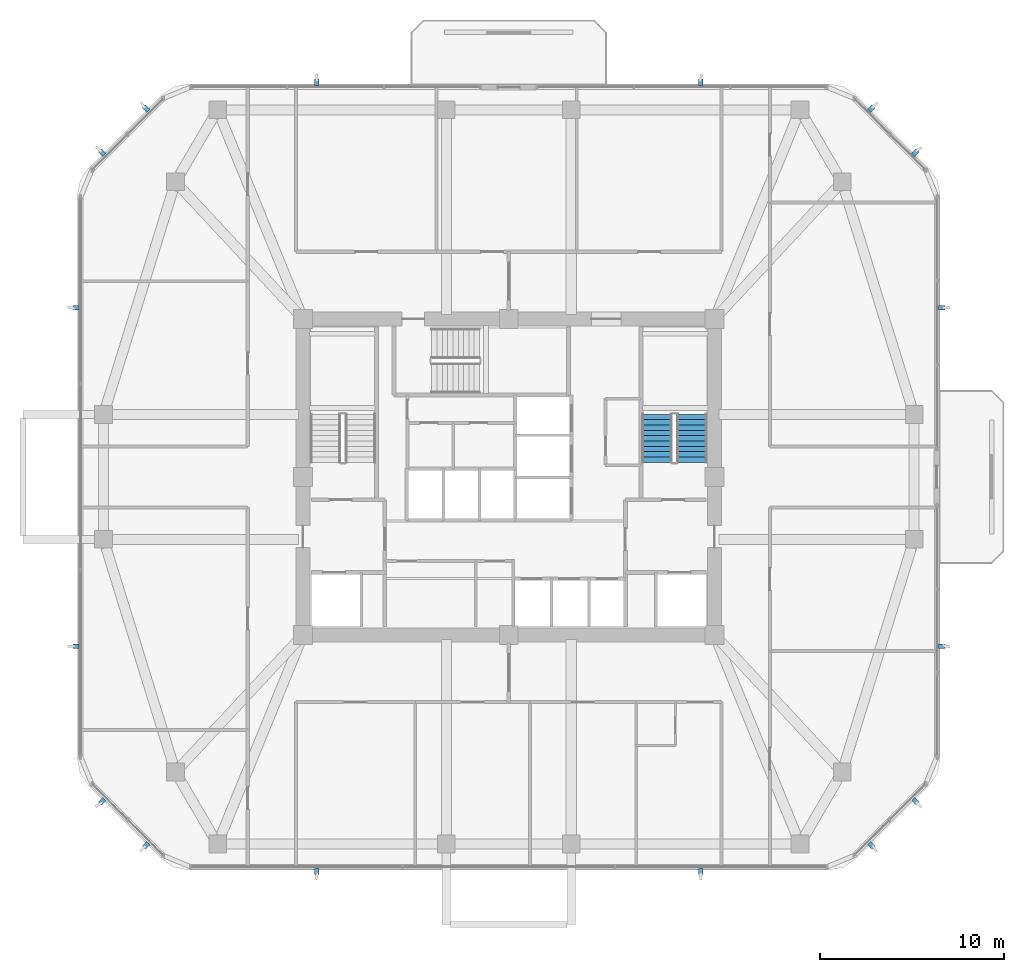
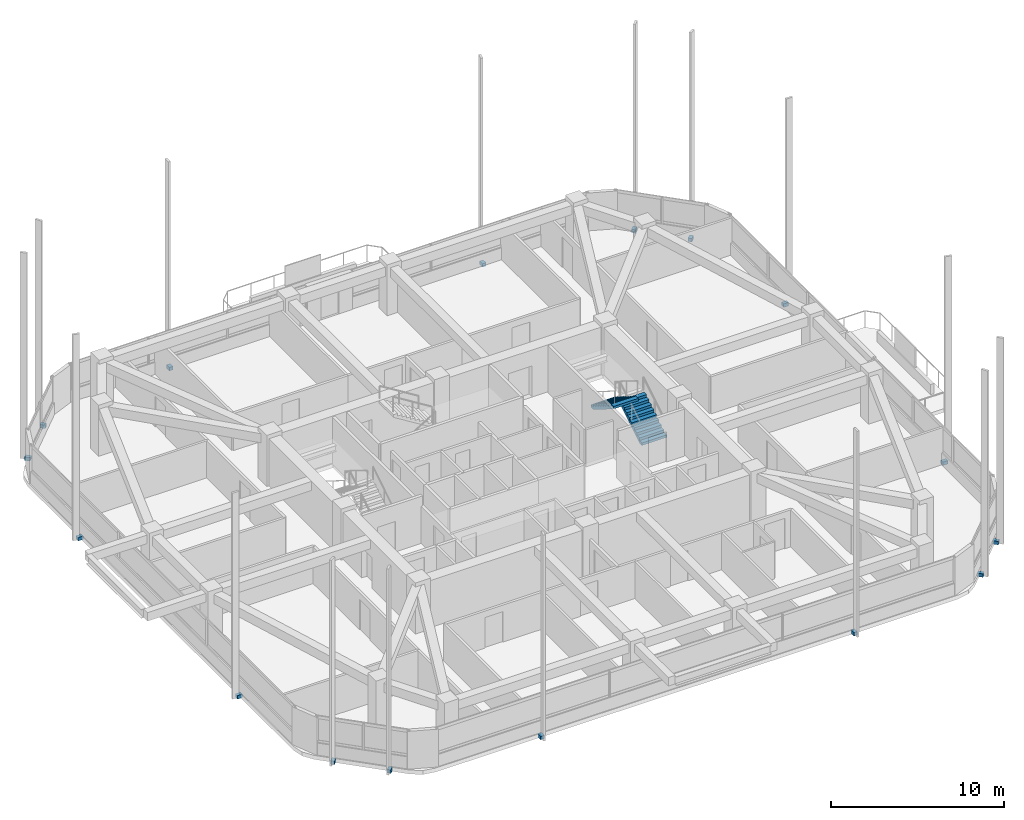
# One storey, part 11 of 14: 16 discrete accessories, 2 stair flights, 1 element without a shape of its own.
"""IFC4 building model written with IfcOpenShell, lengths in metres."""

from ifc_helpers import new_model, si_unit, derived_unit, direction, frame, origin, origin_2d, place, context, subcontext, project, spatial, polyline, rectangle, outline, extrude, material, type_object, element, aggregate, save


model = new_model("IFC4")

# Units and contexts
model_context = context("Model", 3, precision=1e-05, world=origin(), true_north=direction((0.0, 1.0)))
body_context = subcontext(model_context, "Body", "Model", "MODEL_VIEW")
ifc_project = project(units=[si_unit("LENGTHUNIT", "METRE"), si_unit("AREAUNIT", "SQUARE_METRE"), si_unit("VOLUMEUNIT", "CUBIC_METRE"), si_unit("PLANEANGLEUNIT", "RADIAN"), si_unit("MASSUNIT", "GRAM", prefix="KILO"), derived_unit("THERMALTRANSMITTANCEUNIT", [(si_unit("POWERUNIT", "WATT"), 1), (si_unit("LENGTHUNIT", "METRE"), -2), (si_unit("THERMODYNAMICTEMPERATUREUNIT", "KELVIN"), -1)])], contexts=[model_context])

# Site, building, storey
site_placement = place(None, origin())
site = spatial("IfcSite", under=ifc_project, at=site_placement, CompositionType="ELEMENT")
building_placement = place(site_placement, origin())
building = spatial("IfcBuilding", under=site, at=building_placement, Name="Koralith Skygarden Medical Center", CompositionType="ELEMENT")
storey_placement = place(building_placement, frame((0.0, 0.0, 160.02001953125)))
storey = spatial("IfcBuildingStorey", under=building, at=storey_placement, Name="L41", CompositionType="ELEMENT", Elevation=160.02001953125)

# Stair, stair flights
ifc_material_1 = material(Name="Concrete C45/55", Category="concrete")
stair_type = type_object("IfcStairType", Name="Core Exit Dogleg Concrete Stair", PredefinedType="HALF_TURN_STAIR", material=ifc_material_1)
stair_placement = place(storey_placement, origin())
stair = element("IfcStair", 1, at=stair_placement, inside=storey, type_object=stair_type, Name="L41 Smokeproof Exit Stair ST2", PredefinedType="HALF_TURN_STAIR")
stair_flight_type = type_object("IfcStairFlightType", Name="Core Exit Concrete Stair Flight 1650", PredefinedType="STRAIGHT", material=ifc_material_1)
stair_flight_1_placement = place(storey_placement, frame((46.97509765625, 26.699951171875, 0.0), z_axis=(0.0, 0.0, 1.0), x_axis=(0.0, 1.0, 0.0)))
stair_flight_1 = element("IfcStairFlight", 2, at=stair_flight_1_placement, type_object=stair_flight_type, Name="ST2 flight 1", NumberOfRisers=10, NumberOfTreads=9, PredefinedType="STRAIGHT", RiserHeight=0.18, TreadLength=0.29, context=body_context, shape_type="SweptSolid", body=[
    extrude(outline(polyline([(0.0, 0.0), (0.0, 0.179931640625), (0.2900390625, 0.179931640625), (0.2900390625, 0.360107421875), (0.580078125, 0.360107421875), (0.580078125, 0.5400390625), (0.8701171875, 0.5400390625), (0.8701171875, 0.719970703125), (1.159912109375, 0.719970703125), (1.159912109375, 0.89990234375), (1.449951171875, 0.89990234375), (1.449951171875, 1.080078125), (1.739990234375, 1.080078125), (1.739990234375, 1.260009765625), (2.030029296875, 1.260009765625), (2.030029296875, 1.43994140625), (2.320068359375, 1.43994140625), (2.320068359375, 1.6201171875), (2.610107421875, 1.6201171875), (2.610107421875, 1.800048828125), (2.610107421875, 1.443603515625), (0.2841796875, 0.0), (0.0, 0.0)])), frame((0.0, 0.824951171875, 0.0), z_axis=(0.0, -1.0, 0.0), x_axis=(1.0, 0.0, 0.0)), (0.0, 0.0, 1.0), 1.64990234375),
])
stair_flight_2_placement = place(storey_placement, frame((45.074951171875, 29.31005859375, 1.800048828125), z_axis=(0.0, 0.0, 1.0), x_axis=(0.0, -1.0, 0.0)))
stair_flight_2 = element("IfcStairFlight", 3, at=stair_flight_2_placement, type_object=stair_flight_type, Name="ST2 flight 2", NumberOfRisers=10, NumberOfTreads=9, PredefinedType="STRAIGHT", RiserHeight=0.18, TreadLength=0.29, context=body_context, shape_type="SweptSolid", body=[
    extrude(outline(polyline([(0.0, 0.0), (0.0, 0.179931640625), (0.2900390625, 0.179931640625), (0.2900390625, 0.360107421875), (0.580078125, 0.360107421875), (0.580078125, 0.5400390625), (0.8701171875, 0.5400390625), (0.8701171875, 0.719970703125), (1.159912109375, 0.719970703125), (1.159912109375, 0.89990234375), (1.449951171875, 0.89990234375), (1.449951171875, 1.080078125), (1.739990234375, 1.080078125), (1.739990234375, 1.260009765625), (2.030029296875, 1.260009765625), (2.030029296875, 1.43994140625), (2.320068359375, 1.43994140625), (2.320068359375, 1.6201171875), (2.610107421875, 1.6201171875), (2.610107421875, 1.800048828125), (2.610107421875, 1.443603515625), (0.2841796875, 0.0), (0.0, 0.0)])), frame((0.0, 0.824951171875, 0.0), z_axis=(0.0, -1.0, 0.0), x_axis=(1.0, 0.0, 0.0)), (0.0, 0.0, 1.0), 1.64990234375),
])
aggregate(stair, [stair_flight_1, stair_flight_2])

# Discrete accessories
ifc_material_2 = material(Name="Steel ASTM A572 Grade 50", Category="steel")
discrete_accessory_type = type_object("IfcDiscreteAccessoryType", Name="Facade Fin Structural Anchor Bracket", PredefinedType="BRACKET", material=ifc_material_2)
for number, where, z_axis, x_axis, name in (
    (4, (26.5400390625, 4.419921875, -0.26025390625), (0.0, 0.0, 1.0), (0.0, -1.0, 0.0), "L41 S Solar Fin Anchor Bracket 1"),
    (5, (47.4599609375, 4.419921875, -0.26025390625), (0.0, 0.0, 1.0), (0.0, -1.0, 0.0), "L41 S Solar Fin Anchor Bracket 2"),
    (6, (56.741943359375, 5.843994140625, -0.26025390625), (0.0, 0.0, 1.0), (0.707106781187, -0.707106781187, 0.0), "L41 SE Solar Fin Anchor Bracket 1"),
    (7, (59.139892578125, 8.241943359375, -0.26025390625), (0.0, 0.0, 1.0), (0.707106781187, -0.707106781187, 0.0), "L41 SE Solar Fin Anchor Bracket 2"),
    (8, (60.56396484375, 16.68994140625, -0.26025390625), (0.0, 0.0, 1.0), (1.0, 0.0, 0.0), "L41 E Solar Fin Anchor Bracket 1"),
    (9, (60.56396484375, 35.110107421875, -0.26025390625), (0.0, 0.0, 1.0), (1.0, 0.0, 0.0), "L41 E Solar Fin Anchor Bracket 2"),
    (10, (59.139892578125, 43.55810546875, -0.26025390625), (0.0, 0.0, 1.0), (0.707106781187, 0.707106781187, 0.0), "L41 NE Solar Fin Anchor Bracket 1"),
    (11, (56.741943359375, 45.9560546875, -0.26025390625), (0.0, 0.0, 1.0), (0.707106781187, 0.707106781187, 0.0), "L41 NE Solar Fin Anchor Bracket 2"),
    (12, (47.4599609375, 47.3798828125, -0.26025390625), (0.0, 0.0, 1.0), (0.0, 1.0, 0.0), "L41 N Solar Fin Anchor Bracket 1"),
    (13, (26.5400390625, 47.3798828125, -0.26025390625), (0.0, 0.0, 1.0), (0.0, 1.0, 0.0), "L41 N Solar Fin Anchor Bracket 2"),
    (14, (17.258056640625, 45.9560546875, -0.26025390625), (0.0, 0.0, 1.0), (-0.707106781187, 0.707106781187, 0.0), "L41 NW Solar Fin Anchor Bracket 1"),
    (15, (14.860107421875, 43.55810546875, -0.26025390625), (0.0, 0.0, 1.0), (-0.707106781187, 0.707106781187, 0.0), "L41 NW Solar Fin Anchor Bracket 2"),
    (16, (13.43603515625, 35.110107421875, -0.26025390625), (0.0, 0.0, 1.0), (-1.0, 0.0, 0.0), "L41 W Solar Fin Anchor Bracket 1"),
    (17, (13.43603515625, 16.68994140625, -0.26025390625), (0.0, 0.0, 1.0), (-1.0, 0.0, 0.0), "L41 W Solar Fin Anchor Bracket 2"),
    (18, (14.860107421875, 8.241943359375, -0.26025390625), (0.0, 0.0, 1.0), (-0.707106781187, -0.707106781187, 0.0), "L41 SW Solar Fin Anchor Bracket 1"),
    (19, (17.258056640625, 5.843994140625, -0.26025390625), (0.0, 0.0, 1.0), (-0.707106781187, -0.707106781187, 0.0), "L41 SW Solar Fin Anchor Bracket 2"),
):
    element("IfcDiscreteAccessory", number, at=place(storey_placement, frame(where, z_axis=z_axis, x_axis=x_axis)), inside=storey, type_object=discrete_accessory_type, Name=name, PredefinedType="BRACKET", context=body_context, shape_type="SweptSolid", body=[
        extrude(rectangle(XDim=0.340087890625, YDim=0.239990234375, at=origin_2d()), origin(), (0.0, 0.0, 1.0), 0.239990234375),
    ])

save(model, "model.ifc")
